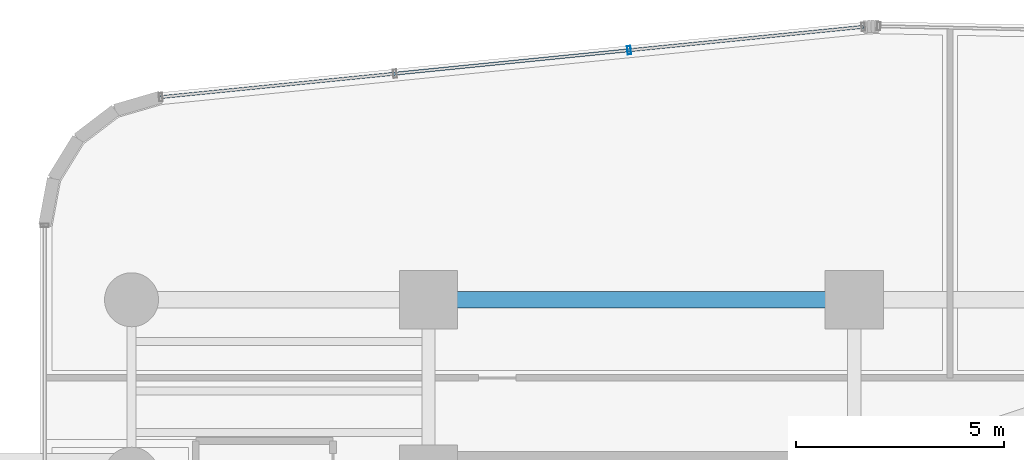
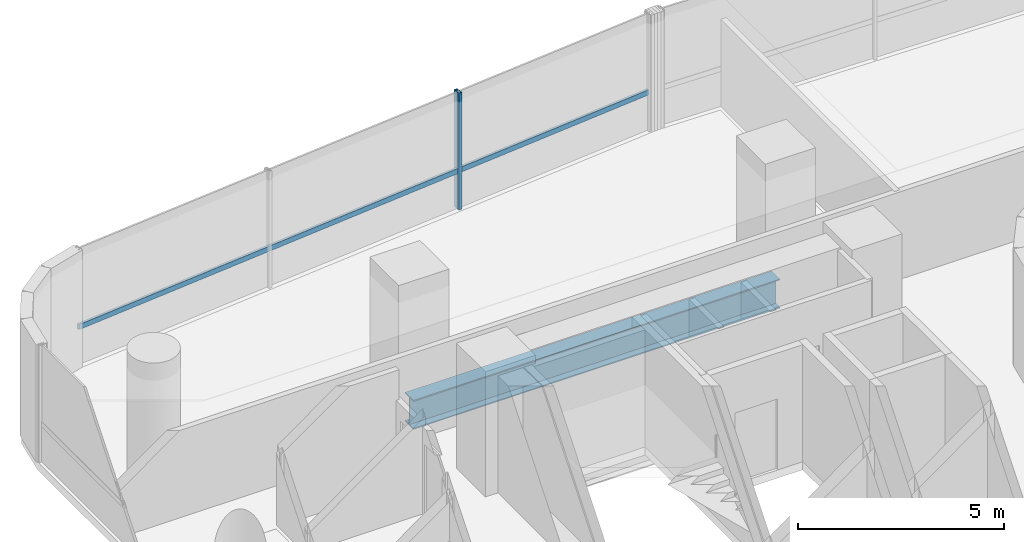
# One storey, part 18 of 39: 2 members, 1 beam, 1 element without a shape of its own.
"""IFC4 building model written with IfcOpenShell, lengths in metres."""

import ifcopenshell
import ifcopenshell.guid

model = None  # the IFC model being written
_history = None  # IfcOwnerHistory: only IFC2X3 demands one
_inside = {}  # id of a spatial element -> (the spatial element, [elements in it])
_under = {}  # id of a project, library or spatial element -> (it, [spatial elements below it])
_declared = {}  # id of a project -> (the project, [libraries it declares])
_typed = {}  # id of a type object -> (the type object, [elements of that type])
_made_of = {}  # id of a material, layer set ... -> (it, [elements and type objects made of it])


def new_model(schema):
    """Start an empty IFC model of exactly this schema.

    Asked for "IFC4X3", IfcOpenShell would pick the latest addendum, in which some entities
    have other attributes; the version numbers below select the first issue.
    IFC2X3 requires an IfcOwnerHistory on every rooted entity: one is made here for all.
    """
    global model, _history
    if schema == "IFC4X3":
        model = ifcopenshell.file(schema_version=(4, 3, 0, 0))
    else:
        model = ifcopenshell.file(schema=schema)
    _inside.clear()
    _under.clear()
    _declared.clear()
    _typed.clear()
    _made_of.clear()
    _history = None
    if model.schema == "IFC2X3":
        org = make("IfcOrganization", Name="unknown")
        user = make(
            "IfcPersonAndOrganization",
            ThePerson=make("IfcPerson", FamilyName="unknown"),
            TheOrganization=org,
        )
        app = make(
            "IfcApplication",
            ApplicationDeveloper=org,
            Version="unknown",
            ApplicationFullName="unknown",
            ApplicationIdentifier="unknown",
        )
        _history = make(
            "IfcOwnerHistory",
            OwningUser=user,
            OwningApplication=app,
            ChangeAction="ADDED",
            CreationDate=0,
        )
    return model


def make(cls, **values):
    """One entity of the class cls with the attributes given. An attribute that is None is left unset."""
    return model.create_entity(
        cls, **{name: value for name, value in values.items() if value is not None}
    )


def rooted(cls, **values):
    """An entity with a GlobalId (a new one), such as an element, a storey or a relation."""
    return make(cls, GlobalId=ifcopenshell.guid.new(), OwnerHistory=_history, **values)


def si_unit(unit_type, name, prefix=None):
    """IfcSIUnit, for example si_unit("LENGTHUNIT", "METRE", prefix="MILLI")."""
    return make("IfcSIUnit", UnitType=unit_type, Prefix=prefix, Name=name)


def assignment(units):
    """IfcUnitAssignment: the units of a project."""
    return None if units is None else make("IfcUnitAssignment", Units=units)


def point(xyz):
    """IfcCartesianPoint."""
    return None if xyz is None else make("IfcCartesianPoint", Coordinates=xyz)


def direction(xyz):
    """IfcDirection."""
    return None if xyz is None else make("IfcDirection", DirectionRatios=xyz)


def frame(location, z_axis=None, x_axis=None):
    """IfcAxis2Placement3D, a coordinate frame: its origin and axes. An axis left out is left unset."""
    return make(
        "IfcAxis2Placement3D",
        Location=point(location),
        Axis=direction(z_axis),
        RefDirection=direction(x_axis),
    )


def frame_2d(location, x_axis=None):
    """IfcAxis2Placement2D, a coordinate frame in the plane: its origin and x axis."""
    return make(
        "IfcAxis2Placement2D", Location=point(location), RefDirection=direction(x_axis)
    )


def origin():
    """The frame at (0, 0, 0) with its axes left unset."""
    return frame((0.0, 0.0, 0.0))


def origin_2d():
    """The frame at (0, 0) in the plane with its x axis left unset."""
    return frame_2d((0.0, 0.0))


def place(relative_to, where):
    """IfcLocalPlacement: puts the frame where relative to a parent placement (None: the world)."""
    return make(
        "IfcLocalPlacement", PlacementRelTo=relative_to, RelativePlacement=where
    )


def context(
    kind, dimensions, precision=None, world=None, true_north=None, identifier=None
):
    """IfcGeometricRepresentationContext, for example the 3D "Model" context."""
    return make(
        "IfcGeometricRepresentationContext",
        ContextIdentifier=identifier,
        ContextType=kind,
        CoordinateSpaceDimension=dimensions,
        Precision=precision,
        WorldCoordinateSystem=world,
        TrueNorth=true_north,
    )


def subcontext(parent, identifier, kind, view, scale=None):
    """IfcGeometricRepresentationSubContext, for example "Body" below "Model"."""
    return make(
        "IfcGeometricRepresentationSubContext",
        ContextIdentifier=identifier,
        ContextType=kind,
        ParentContext=parent,
        TargetScale=scale,
        TargetView=view,
    )


def project(units=None, contexts=None):
    """IfcProject with its units and contexts."""
    return rooted(
        "IfcProject",
        Name="project",
        RepresentationContexts=contexts,
        UnitsInContext=assignment(units),
    )


def spatial(cls, under=None, at=None, **own):
    """A site, building, storey or space (cls), placed at a placement, below another one or the project."""
    s = rooted(cls, ObjectPlacement=at, **own)
    if under is not None:
        _under.setdefault(under.id(), (under, []))[1].append(s)
    return s


def profile(cls, at=None, kind="AREA", **sizes):
    """A parametric profile (cls). Its sizes go by their IFC names, for example OverallWidth=200.0."""
    return make(cls, ProfileType=kind, Position=at, **sizes)


def hollow_rectangle(**sizes):
    """IfcRectangleHollowProfileDef."""
    return profile("IfcRectangleHollowProfileDef", **sizes)


def i_section(**sizes):
    """IfcIShapeProfileDef."""
    return profile("IfcIShapeProfileDef", **sizes)


def extrude(swept, where, along, depth):
    """IfcExtrudedAreaSolid: the profile swept, set in the frame where, extruded along a direction by depth."""
    return make(
        "IfcExtrudedAreaSolid",
        SweptArea=swept,
        Position=where,
        ExtrudedDirection=direction(along),
        Depth=depth,
    )


def shape(context_of_items, identifier, shape_type, items):
    """IfcShapeRepresentation: the items that make up one representation, for example the "Body"."""
    return make(
        "IfcShapeRepresentation",
        ContextOfItems=context_of_items,
        RepresentationIdentifier=identifier,
        RepresentationType=shape_type,
        Items=items,
    )


def source(mapping_origin, context_of_items, identifier, shape_type, items):
    """IfcRepresentationMap: a shape defined once, which mapped items show again and again."""
    return make(
        "IfcRepresentationMap",
        MappingOrigin=mapping_origin,
        MappedRepresentation=shape(context_of_items, identifier, shape_type, items),
    )


def transform(
    local_origin,
    x_axis=None,
    y_axis=None,
    z_axis=None,
    scale=None,
    scale2=None,
    scale3=None,
    uniform=True,
):
    """IfcCartesianTransformationOperator3D, or its non-uniform kind. x_axis, y_axis, z_axis: its Axis1, 2, 3."""
    if uniform:
        return make(
            "IfcCartesianTransformationOperator3D",
            Axis1=direction(x_axis),
            Axis2=direction(y_axis),
            LocalOrigin=point(local_origin),
            Scale=scale,
            Axis3=direction(z_axis),
        )
    return make(
        "IfcCartesianTransformationOperator3DnonUniform",
        Axis1=direction(x_axis),
        Axis2=direction(y_axis),
        LocalOrigin=point(local_origin),
        Scale=scale,
        Axis3=direction(z_axis),
        Scale2=scale2,
        Scale3=scale3,
    )


def mapped(mapping_source, mapping_target):
    """IfcMappedItem: shows the shape of a source again, moved by a transform."""
    return make(
        "IfcMappedItem", MappingSource=mapping_source, MappingTarget=mapping_target
    )


def material(Name=None, Category=None):
    """IfcMaterial."""
    return make("IfcMaterial", Name=Name, Category=Category)


def material_profile(
    of_material, cross_section, Name=None, Category=None, Priority=None
):
    """IfcMaterialProfile: a cross section and its material."""
    return make(
        "IfcMaterialProfile",
        Name=Name,
        Material=of_material,
        Profile=cross_section,
        Priority=Priority,
        Category=Category,
    )


def profile_set(profiles, Name=None, composite=None):
    """IfcMaterialProfileSet."""
    return make(
        "IfcMaterialProfileSet",
        Name=Name,
        MaterialProfiles=profiles,
        CompositeProfile=composite,
    )


def made_of(thing, what):
    """Note that an element or type object is made of a material, layer set ...; save() writes the relation."""
    if what is not None:
        _made_of.setdefault(what.id(), (what, []))[1].append(thing)
    return thing


def type_object(cls, material=None, **own):
    """A type object (cls), such as IfcWallType, which elements share."""
    return made_of(rooted(cls, **own), material)


def element(
    cls,
    number,
    at=None,
    inside=None,
    cuts=None,
    type_object=None,
    material=None,
    context=None,
    identifier="Body",
    shape_type=None,
    held_by="IfcProductDefinitionShape",
    body=None,
    shapes=None,
    **own,
):
    """One element of the class cls, such as IfcWall. Its Tag is "e" and its number.

    at: its placement. inside: the storey or other place that contains it. cuts: it is an
    opening in that element (IfcRelVoidsElement). A single representation is given by context,
    identifier, shape_type and body (its items); several are given by shapes. held_by: the class
    of the entity that holds the representations. save() writes the other relations.
    """
    e = rooted(cls, Tag="e%d" % number, ObjectPlacement=at, **own)
    if body is not None:
        shapes = [shape(context, identifier, shape_type, body)]
    if shapes is not None:
        e.Representation = make(held_by, Representations=shapes)
    if inside is not None:
        _inside.setdefault(inside.id(), (inside, []))[1].append(e)
    if cuts is not None:
        rooted(
            "IfcRelVoidsElement", RelatingBuildingElement=cuts, RelatedOpeningElement=e
        )
    if type_object is not None:
        _typed.setdefault(type_object.id(), (type_object, []))[1].append(e)
    return made_of(e, material)


def aggregate(whole, parts):
    """IfcRelAggregates: a whole, such as a stair, and the parts it consists of."""
    return rooted("IfcRelAggregates", RelatingObject=whole, RelatedObjects=parts)


def save(model, path):
    """Write the relations noted so far, then the file.

    IfcRelAggregates (storeys below a building ...), IfcRelContainedInSpatialStructure (elements
    in a storey), IfcRelDefinesByType, IfcRelAssociatesMaterial and IfcRelDeclares: one each for
    every whole, place, type object, material and project.
    """
    for whole, parts in _under.values():
        aggregate(whole, parts)
    for where, things in _inside.values():
        rooted(
            "IfcRelContainedInSpatialStructure",
            RelatedElements=things,
            RelatingStructure=where,
        )
    for kind, things in _typed.values():
        rooted("IfcRelDefinesByType", RelatedObjects=things, RelatingType=kind)
    for what, things in _made_of.values():
        rooted("IfcRelAssociatesMaterial", RelatedObjects=things, RelatingMaterial=what)
    for by, libraries in _declared.values():
        rooted("IfcRelDeclares", RelatingContext=by, RelatedDefinitions=libraries)
    model.write(path)


model = new_model("IFC4")

# Units and contexts
model_context = context("Model", 3, precision=1e-05, world=origin(), true_north=direction((0.0, 1.0)))
body_context = subcontext(model_context, "Body", "Model", "MODEL_VIEW")
ifc_project = project(units=[si_unit("LENGTHUNIT", "METRE"), si_unit("AREAUNIT", "SQUARE_METRE"), si_unit("VOLUMEUNIT", "CUBIC_METRE"), si_unit("PLANEANGLEUNIT", "RADIAN"), si_unit("MASSUNIT", "GRAM", prefix="KILO")], contexts=[model_context])

# Site, building, storey
site_placement = place(None, origin())
site = spatial("IfcSite", under=ifc_project, at=site_placement, CompositionType="ELEMENT")
building_placement = place(site_placement, origin())
building = spatial("IfcBuilding", under=site, at=building_placement, Name="Valdorenza Pilgrim Sanctuary Tower", CompositionType="ELEMENT")
storey_placement = place(building_placement, frame((0.0, 0.0, 74.10009765625)))
storey = spatial("IfcBuildingStorey", under=building, at=storey_placement, Name="L18", CompositionType="ELEMENT", Elevation=74.10009765625)

# Beam
ifc_material_1 = material(Name="Steel ASTM A992 Grade 50", Category="steel")
ifc_material_profile_1 = material_profile(ifc_material_1, i_section(OverallWidth=0.39990234375, OverallDepth=0.862060546875, WebThickness=0.019775390625, FlangeThickness=0.032470703125, at=origin_2d()), Name="W33X221")
ifc_profile_set_1 = profile_set([ifc_material_profile_1], Name="Steel ASTM A992 Grade 50")
beam_type = type_object("IfcBeamType", Name="STR-BM-GRD-W33", PredefinedType="BEAM", material=ifc_profile_set_1)
shared_shape_1 = source(origin(), body_context, "Body", "SweptSolid", [
    extrude(i_section(OverallWidth=0.39990234375, OverallDepth=0.862060546875, WebThickness=0.019775390625, FlangeThickness=0.032470703125, at=origin_2d()), origin(), (0.0, 0.0, 1.0), 10.25),
])
beam_placement = place(storey_placement, frame((-22.64990234375, 14.800048828125, -0.671142578125), z_axis=(1.0, 0.0, 0.0), x_axis=(0.0, 1.0, 0.0)))
element("IfcBeam", 1, at=beam_placement, inside=storey, type_object=beam_type, Name="L18 Floor Girder CA-XC-N2", PredefinedType="BEAM", context=body_context, shape_type="MappedRepresentation", body=[
    mapped(shared_shape_1, transform((0.0, 0.0, 0.0), x_axis=(1.0, 0.0, 0.0), y_axis=(0.0, 1.0, 0.0), z_axis=(0.0, 0.0, 1.0), scale=1.0)),
])

# Curtain wall, members
ifc_material_2 = material(Name="Curtain-wall IGU glazing", Category="glass")
curtain_wall_type = type_object("IfcCurtainWallType", Name="CW-SYS-02", PredefinedType="NOTDEFINED", material=ifc_material_2)
curtain_wall_placement = place(storey_placement, origin())
curtain_wall = element("IfcCurtainWall", 2, at=curtain_wall_placement, inside=storey, type_object=curtain_wall_type, Name="L18 Curtain Wall CW-L18-1-6", PredefinedType="NOTDEFINED")
ifc_material_3 = material(Name="Anodised aluminium AW-6060", Category="aluminium")
ifc_material_profile_2 = material_profile(ifc_material_3, hollow_rectangle(XDim=0.0849609375, YDim=0.199951171875, WallThickness=0.0048828125, at=origin_2d()), Name="ALU-M 200x85x5")
ifc_profile_set_2 = profile_set([ifc_material_profile_2], Name="Anodised aluminium AW-6060")
member_type_1 = type_object("IfcMemberType", Name="CW-MUL-02", PredefinedType="MULLION", material=ifc_profile_set_2)
shared_shape_2 = source(origin(), body_context, "Body", "SweptSolid", [
    extrude(hollow_rectangle(XDim=0.0849609375, YDim=0.199951171875, WallThickness=0.0048828125, at=origin_2d()), origin(), (0.0, 0.0, 1.0), 3.4599609375),
])
member_1_placement = place(storey_placement, frame((-17.820556640625, 20.8076171875, 0.0), z_axis=(0.0, 0.0, 1.0), x_axis=(0.995038220239, 0.099493418189, 0.0)))
member_1 = element("IfcMember", 3, at=member_1_placement, type_object=member_type_1, Name="CW-L18-1-6 Mullion 3", PredefinedType="MULLION", context=body_context, shape_type="MappedRepresentation", body=[
    mapped(shared_shape_2, transform((0.0, 0.0, 0.0), x_axis=(1.0, 0.0, 0.0), y_axis=(0.0, 1.0, 0.0), z_axis=(0.0, 0.0, 1.0), scale=1.0)),
])
ifc_material_profile_3 = material_profile(ifc_material_3, hollow_rectangle(XDim=0.074951171875, YDim=0.14990234375, WallThickness=0.00390625, at=origin_2d()), Name="ALU-T 150x75x4")
ifc_profile_set_3 = profile_set([ifc_material_profile_3], Name="Anodised aluminium AW-6060")
member_type_2 = type_object("IfcMemberType", Name="CW-TRN-02", PredefinedType="USERDEFINED", material=ifc_profile_set_3)
shared_shape_3 = source(origin(), body_context, "Body", "SweptSolid", [
    extrude(hollow_rectangle(XDim=0.074951171875, YDim=0.14990234375, WallThickness=0.00390625, at=origin_2d()), origin(), (0.0, 0.0, 1.0), 17.0),
])
member_2_placement = place(storey_placement, frame((-29.097412109375, 19.6796875, 1.119873046875), z_axis=(0.99503662143, 0.099509406661, 0.0), x_axis=(-0.099509406661, 0.99503662143, 0.0)))
member_2 = element("IfcMember", 4, at=member_2_placement, type_object=member_type_2, Name="CW-L18-1-6 Transom 1", ObjectType="TRANSOM", PredefinedType="USERDEFINED", context=body_context, shape_type="MappedRepresentation", body=[
    mapped(shared_shape_3, transform((0.0, 0.0, 0.0), x_axis=(1.0, 0.0, 0.0), y_axis=(0.0, 1.0, 0.0), z_axis=(0.0, 0.0, 1.0), scale=1.0)),
])
aggregate(curtain_wall, [member_1, member_2])

save(model, "model.ifc")
